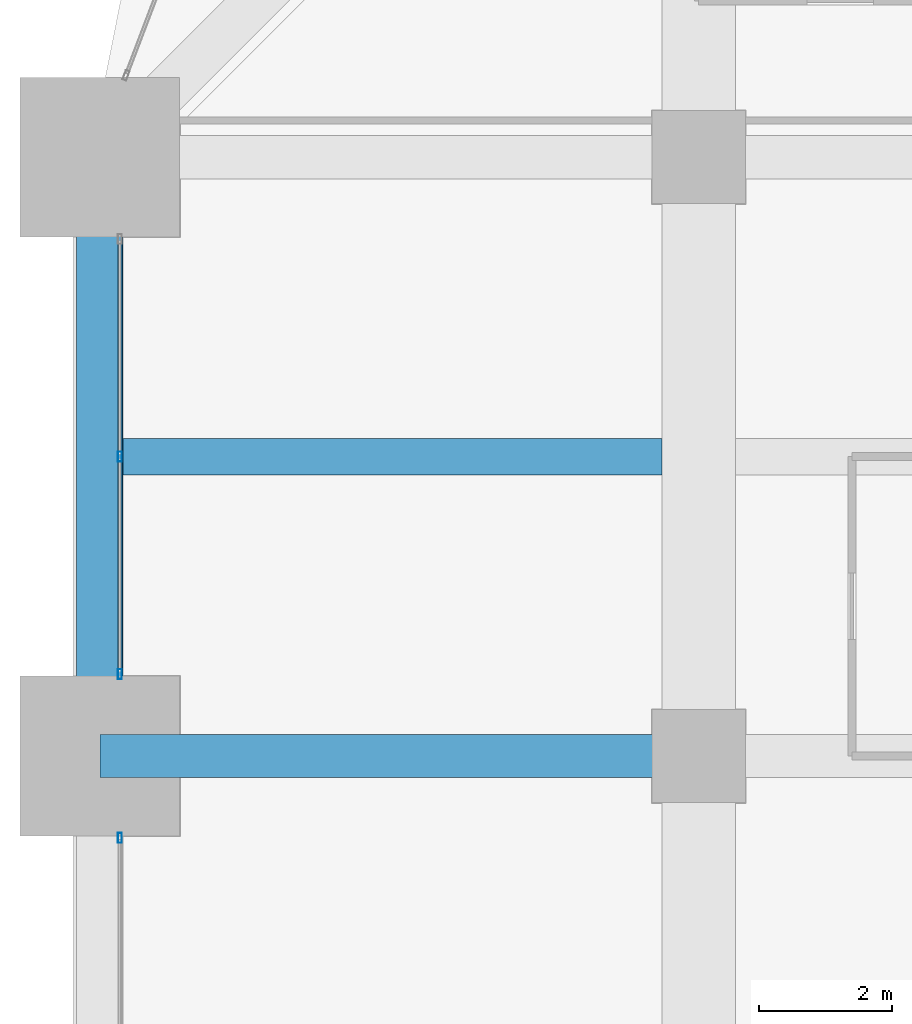
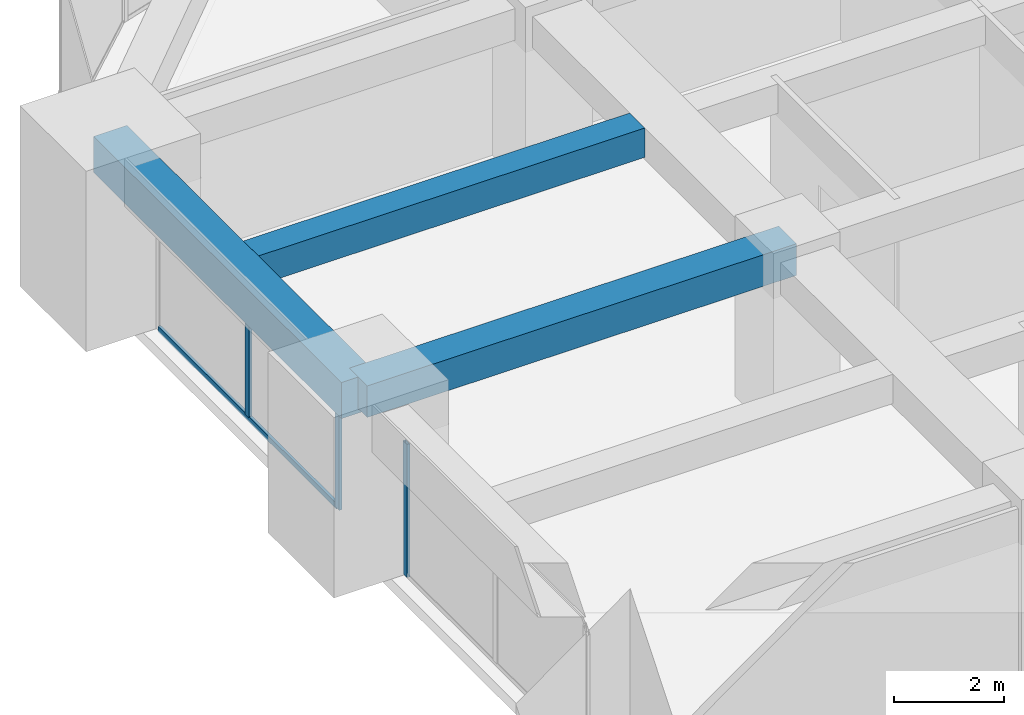
# One storey, part 11 of 32: 4 members, 3 beams, 2 elements without a shape of their own.
"""IFC4 building model written with IfcOpenShell, lengths in metres."""

from ifc_helpers import new_model, si_unit, direction, frame, origin, origin_2d, place, context, subcontext, project, spatial, rectangle, hollow_rectangle, extrude, material, material_profile, profile_set, type_object, element, aggregate, save


model = new_model("IFC4")

# Units and contexts
model_context = context("Model", 3, precision=1e-05, world=origin(), true_north=direction((0.0, 1.0)))
body_context = subcontext(model_context, "Body", "Model", "MODEL_VIEW")
ifc_project = project(units=[si_unit("LENGTHUNIT", "METRE"), si_unit("AREAUNIT", "SQUARE_METRE"), si_unit("VOLUMEUNIT", "CUBIC_METRE"), si_unit("PLANEANGLEUNIT", "RADIAN"), si_unit("MASSUNIT", "GRAM", prefix="KILO")], contexts=[model_context])

# Site, building, storey
site_placement = place(None, origin())
site = spatial("IfcSite", under=ifc_project, at=site_placement, CompositionType="ELEMENT")
building_placement = place(site_placement, origin())
building = spatial("IfcBuilding", under=site, at=building_placement, Name="Zorevar Civic Tower", CompositionType="ELEMENT")
storey_placement = place(building_placement, frame((0.0, 0.0, 198.199951171875)))
storey = spatial("IfcBuildingStorey", under=building, at=storey_placement, Name="L48", CompositionType="ELEMENT", Elevation=198.199951171875)

# Beams
ifc_material_1 = material(Name="Concrete C50/60", Category="concrete")
ifc_material_profile_1 = material_profile(ifc_material_1, rectangle(XDim=0.550048828125, YDim=0.64990234375, at=origin_2d()), Name="RC 550x650")
ifc_profile_set_1 = profile_set([ifc_material_profile_1], Name="Concrete C50/60")
beam_type_1 = type_object("IfcBeamType", Name="Beam RC 550x650", PredefinedType="BEAM", material=ifc_profile_set_1)
beam_1_placement = place(storey_placement, frame((0.35009765625, 31.5, 3.425048828125), z_axis=(1.0, 0.0, 0.0), x_axis=(0.0, 1.0, 0.0)))
element("IfcBeam", 1, at=beam_1_placement, inside=storey, type_object=beam_type_1, Name="Secondary beam L49", PredefinedType="BEAM", context=body_context, shape_type="SweptSolid", body=[
    extrude(rectangle(XDim=0.550048828125, YDim=0.64990234375, at=origin_2d()), origin(), (0.0, 0.0, 1.0), 8.099853515625),
])
ifc_material_2 = material(Name="Concrete C50/60", Category="concrete")
ifc_material_profile_2 = material_profile(ifc_material_2, rectangle(XDim=0.64990234375, YDim=0.699951171875, at=origin_2d()), Name="RC 650x700")
ifc_profile_set_2 = profile_set([ifc_material_profile_2], Name="Concrete C50/60")
beam_type_2 = type_object("IfcBeamType", Name="Beam RC 650x700", PredefinedType="BEAM", material=ifc_profile_set_2)
beam_2_placement = place(storey_placement, frame((0.0, 27.0, 3.400146484375), z_axis=(1.0, 0.0, 0.0), x_axis=(0.0, 1.0, 0.0)))
element("IfcBeam", 2, at=beam_2_placement, inside=storey, type_object=beam_type_2, Name="Girder L49", PredefinedType="BEAM", context=body_context, shape_type="SweptSolid", body=[
    extrude(rectangle(XDim=0.64990234375, YDim=0.699951171875, at=origin_2d()), origin(), (0.0, 0.0, 1.0), 9.0),
])

# Curtain wall, member
ifc_material_3 = material(Name="Dark grey solar-control glass in black aluminium frame", Category="aluminium")
curtain_wall_type = type_object("IfcCurtainWallType", Name="Curtain wall CW4 high zone", PredefinedType="NOTDEFINED", material=ifc_material_3)
curtain_wall_1_placement = place(storey_placement, origin())
curtain_wall_1 = element("IfcCurtainWall", 3, at=curtain_wall_1_placement, inside=storey, type_object=curtain_wall_type, Name="CW4 L48", PredefinedType="NOTDEFINED")
ifc_material_4 = material(Name="Aluminium, black anodised", Category="aluminium")
ifc_material_profile_3 = material_profile(ifc_material_4, hollow_rectangle(XDim=0.06005859375, YDim=0.14990234375, WallThickness=0.00390625, at=origin_2d()), Name="AL 150x60x4")
ifc_profile_set_3 = profile_set([ifc_material_profile_3], Name="Aluminium, black anodised")
member_type_1 = type_object("IfcMemberType", Name="CW4 mullion AL 150x60x4", PredefinedType="MULLION", material=ifc_profile_set_3)
member_1_placement = place(storey_placement, frame((0.300048828125, 25.77001953125, 0.0), z_axis=(0.0, 0.0, 1.0), x_axis=(-1.0, 0.0, 0.0)))
member_1 = element("IfcMember", 4, at=member_1_placement, type_object=member_type_1, Name="CW4 mullion 3", PredefinedType="MULLION", context=body_context, shape_type="SweptSolid", body=[
    extrude(hollow_rectangle(XDim=0.06005859375, YDim=0.14990234375, WallThickness=0.00390625, at=origin_2d()), origin(), (0.0, 0.0, 1.0), 2.949951171875),
])
aggregate(curtain_wall_1, [member_1])

# Curtain wall, members
curtain_wall_2_placement = place(storey_placement, origin())
curtain_wall_2 = element("IfcCurtainWall", 5, at=curtain_wall_2_placement, inside=storey, type_object=curtain_wall_type, Name="CW4 L48", PredefinedType="NOTDEFINED")
member_2_placement = place(storey_placement, frame((0.300048828125, 28.22998046875, 0.0), z_axis=(0.0, 0.0, 1.0), x_axis=(-1.0, 0.0, 0.0)))
member_2 = element("IfcMember", 6, at=member_2_placement, type_object=member_type_1, Name="CW4 mullion 1", PredefinedType="MULLION", context=body_context, shape_type="SweptSolid", body=[
    extrude(hollow_rectangle(XDim=0.06005859375, YDim=0.14990234375, WallThickness=0.00390625, at=origin_2d()), origin(), (0.0, 0.0, 1.0), 2.949951171875),
])
member_3_placement = place(storey_placement, frame((0.300048828125, 31.5, 0.06005859375), z_axis=(0.0, 0.0, 1.0), x_axis=(-1.0, 0.0, 0.0)))
member_3 = element("IfcMember", 7, at=member_3_placement, type_object=member_type_1, Name="CW4 mullion 2", PredefinedType="MULLION", context=body_context, shape_type="SweptSolid", body=[
    extrude(hollow_rectangle(XDim=0.06005859375, YDim=0.14990234375, WallThickness=0.00390625, at=origin_2d()), origin(), (0.0, 0.0, 1.0), 2.889892578125),
])
ifc_material_5 = material(Name="Aluminium, black anodised", Category="aluminium")
ifc_material_profile_4 = material_profile(ifc_material_5, hollow_rectangle(XDim=0.06005859375, YDim=0.1201171875, WallThickness=0.0029296875, at=origin_2d()), Name="AL 120x60x3")
ifc_profile_set_4 = profile_set([ifc_material_profile_4], Name="Aluminium, black anodised")
member_type_2 = type_object("IfcMemberType", Name="CW4 transom AL 120x60x3", PredefinedType="USERDEFINED", material=ifc_profile_set_4)
member_4_placement = place(storey_placement, frame((0.300048828125, 28.260009765625, 0.030029296875), z_axis=(0.0, 1.0, 0.0), x_axis=(-1.0, 0.0, 0.0)))
member_4 = element("IfcMember", 8, at=member_4_placement, type_object=member_type_2, Name="CW4 sill transom", ObjectType="TRANSOM", PredefinedType="USERDEFINED", context=body_context, shape_type="SweptSolid", body=[
    extrude(hollow_rectangle(XDim=0.06005859375, YDim=0.1201171875, WallThickness=0.0029296875, at=origin_2d()), origin(), (0.0, 0.0, 1.0), 6.47998046875),
])
aggregate(curtain_wall_2, [member_2, member_3, member_4])

# Beam
ifc_material_6 = material(Name="Concrete C50/60", Category="concrete")
ifc_material_profile_5 = material_profile(ifc_material_6, rectangle(XDim=0.699951171875, YDim=0.800048828125, at=origin_2d()), Name="RC 700x800")
ifc_profile_set_5 = profile_set([ifc_material_profile_5], Name="Concrete C50/60")
beam_type_3 = type_object("IfcBeamType", Name="Edge beam RC 700x800", PredefinedType="SPANDREL", material=ifc_profile_set_5)
beam_3_placement = place(storey_placement, frame((0.0, 27.0, 3.35009765625), z_axis=(0.0, 1.0, 0.0), x_axis=(-1.0, 0.0, 0.0)))
element("IfcBeam", 9, at=beam_3_placement, inside=storey, type_object=beam_type_3, Name="Edge beam L49", PredefinedType="SPANDREL", context=body_context, shape_type="SweptSolid", body=[
    extrude(rectangle(XDim=0.699951171875, YDim=0.800048828125, at=origin_2d()), origin(), (0.0, 0.0, 1.0), 9.0),
])

save(model, "model.ifc")
